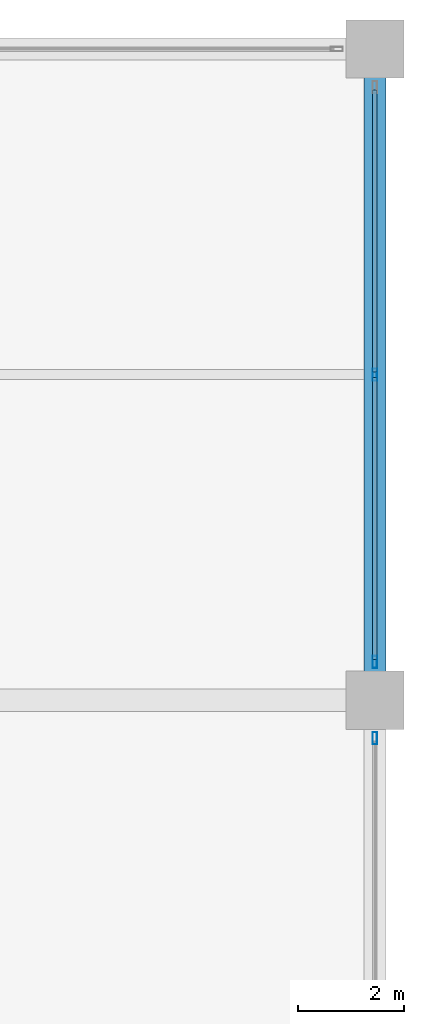
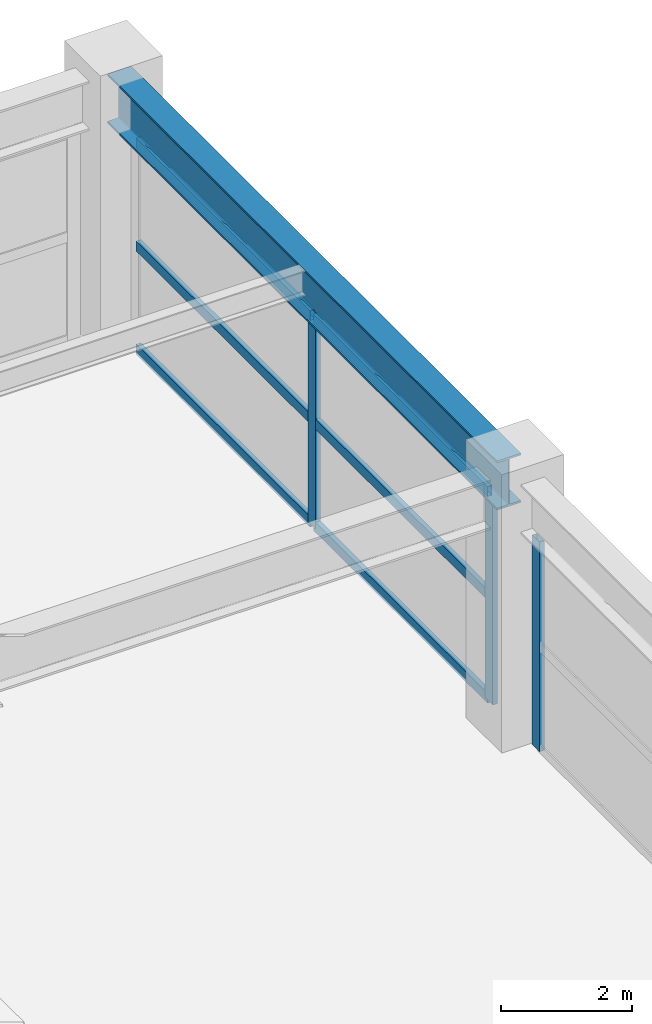
# One storey, part 26 of 35: 9 members, 1 beam, 2 elements without a shape of their own.
"""IFC4 building model written with IfcOpenShell, lengths in metres."""

from ifc_helpers import new_model, si_unit, direction, frame, origin, origin_2d, place, context, subcontext, project, spatial, hollow_rectangle, i_section, extrude, material, material_profile, profile_set, type_object, element, aggregate, save


model = new_model("IFC4")

# Units and contexts
model_context = context("Model", 3, precision=1e-05, world=origin(), true_north=direction((0.0, 1.0)))
body_context = subcontext(model_context, "Body", "Model", "MODEL_VIEW")
ifc_project = project(units=[si_unit("LENGTHUNIT", "METRE"), si_unit("AREAUNIT", "SQUARE_METRE"), si_unit("VOLUMEUNIT", "CUBIC_METRE"), si_unit("PLANEANGLEUNIT", "RADIAN"), si_unit("MASSUNIT", "GRAM", prefix="KILO")], contexts=[model_context])

# Site, building, storey
site_placement = place(None, origin())
site = spatial("IfcSite", under=ifc_project, at=site_placement, CompositionType="ELEMENT")
building_placement = place(site_placement, origin())
building = spatial("IfcBuilding", under=site, at=building_placement, Name="Kovane Verandah Tower", CompositionType="ELEMENT")
storey_placement = place(building_placement, frame((0.0, 0.0, 16.39990234375)))
storey = spatial("IfcBuildingStorey", under=building, at=storey_placement, Name="L03", CompositionType="ELEMENT", Elevation=16.39990234375)

# Beam
ifc_material_1 = material(Name="Steel S460", Category="steel")
ifc_material_profile_1 = material_profile(ifc_material_1, i_section(OverallWidth=0.42041015625, OverallDepth=0.9208984375, WebThickness=0.021484375, FlangeThickness=0.03662109375, FilletRadius=0.024169921875, at=origin_2d()), Name="UB914x419x388")
ifc_profile_set_1 = profile_set([ifc_material_profile_1], Name="Steel S460")
beam_type = type_object("IfcBeamType", Name="BM-UB914x388", PredefinedType="BEAM", material=ifc_profile_set_1)
beam_placement = place(storey_placement, frame((82.0, 44.3798828125, 4.439697265625), z_axis=(0.0, 1.0, 0.0), x_axis=(-1.0, 0.0, 0.0)))
element("IfcBeam", 1, at=beam_placement, inside=storey, type_object=beam_type, Name="L03 Podium Garden Transfer Girder Y43", PredefinedType="BEAM", context=body_context, shape_type="SweptSolid", body=[
    extrude(i_section(OverallWidth=0.42041015625, OverallDepth=0.9208984375, WebThickness=0.021484375, FlangeThickness=0.03662109375, FilletRadius=0.024169921875, at=origin_2d()), origin(), (0.0, 0.0, 1.0), 11.940185546875),
])

# Curtain wall, member
ifc_material_2 = material(Name="Champagne Anodised Aluminium Frame with Low-E Clear Laminated Glass", Category="aluminium")
curtain_wall_type = type_object("IfcCurtainWallType", Name="CW-SYS-01-POD", PredefinedType="NOTDEFINED", material=ifc_material_2)
curtain_wall_1_placement = place(storey_placement, origin())
curtain_wall_1 = element("IfcCurtainWall", 2, at=curtain_wall_1_placement, inside=storey, type_object=curtain_wall_type, Name="L03 East Podium Curtain Wall Bay 4", PredefinedType="NOTDEFINED")
ifc_material_3 = material(Name="Champagne Anodised Aluminium 6063-T6", Category="aluminium")
ifc_material_profile_2 = material_profile(ifc_material_3, hollow_rectangle(XDim=0.0849609375, YDim=0.22998046875, WallThickness=0.00390625, at=origin_2d()), Name="AL85x230x4")
ifc_profile_set_2 = profile_set([ifc_material_profile_2], Name="Champagne Anodised Aluminium 6063-T6")
member_type_1 = type_object("IfcMemberType", Name="CW-MUL-85x230", PredefinedType="MULLION", material=ifc_profile_set_2)
member_1_placement = place(storey_placement, frame((82.0, 43.47998046875, 0.02001953125), z_axis=(0.0, 0.0, 1.0), x_axis=(1.0, 0.0, 0.0)))
member_1 = element("IfcMember", 3, at=member_1_placement, type_object=member_type_1, Name="L03 East Podium Curtain Wall Bay 4 Mullion 2", PredefinedType="MULLION", context=body_context, shape_type="SweptSolid", body=[
    extrude(hollow_rectangle(XDim=0.0849609375, YDim=0.22998046875, WallThickness=0.00390625, at=origin_2d()), origin(), (0.0, 0.0, 1.0), 3.919189453125),
])
aggregate(curtain_wall_1, [member_1])

# Curtain wall, members
curtain_wall_2_placement = place(storey_placement, origin())
curtain_wall_2 = element("IfcCurtainWall", 4, at=curtain_wall_2_placement, inside=storey, type_object=curtain_wall_type, Name="L03 East Podium Curtain Wall Bay 5", PredefinedType="NOTDEFINED")
member_2_placement = place(storey_placement, frame((82.0, 44.919921875, 0.02001953125), z_axis=(0.0, 0.0, 1.0), x_axis=(1.0, 0.0, 0.0)))
member_2 = element("IfcMember", 5, at=member_2_placement, type_object=member_type_1, Name="L03 East Podium Curtain Wall Bay 5 Mullion 1", PredefinedType="MULLION", context=body_context, shape_type="SweptSolid", body=[
    extrude(hollow_rectangle(XDim=0.0849609375, YDim=0.22998046875, WallThickness=0.00390625, at=origin_2d()), origin(), (0.0, 0.0, 1.0), 3.919189453125),
])
member_3_placement = place(storey_placement, frame((82.0, 50.35009765625, 0.02001953125), z_axis=(0.0, 0.0, 1.0), x_axis=(1.0, 0.0, 0.0)))
member_3 = element("IfcMember", 6, at=member_3_placement, type_object=member_type_1, Name="L03 East Podium Curtain Wall Bay 5 Mullion 2", PredefinedType="MULLION", context=body_context, shape_type="SweptSolid", body=[
    extrude(hollow_rectangle(XDim=0.0849609375, YDim=0.22998046875, WallThickness=0.00390625, at=origin_2d()), origin(), (0.0, 0.0, 1.0), 3.919189453125),
])
ifc_material_profile_3 = material_profile(ifc_material_3, hollow_rectangle(XDim=0.0849609375, YDim=0.18994140625, WallThickness=0.00390625, at=origin_2d()), Name="AL85x190x4")
ifc_profile_set_3 = profile_set([ifc_material_profile_3], Name="Champagne Anodised Aluminium 6063-T6")
member_type_2 = type_object("IfcMemberType", Name="CW-TRN-85x190", PredefinedType="USERDEFINED", material=ifc_profile_set_3)
member_4_placement = place(storey_placement, frame((82.0, 44.969970703125, 0.050048828125), z_axis=(0.0, 1.0, 0.0), x_axis=(-1.0, 0.0, 0.0)))
member_4 = element("IfcMember", 7, at=member_4_placement, type_object=member_type_2, Name="L03 East Podium Curtain Wall Bay 5 Transom TB Bay 1", ObjectType="TRANSOM", PredefinedType="USERDEFINED", context=body_context, shape_type="SweptSolid", body=[
    extrude(hollow_rectangle(XDim=0.0849609375, YDim=0.18994140625, WallThickness=0.00390625, at=origin_2d()), origin(), (0.0, 0.0, 1.0), 5.330078125),
])
member_5_placement = place(storey_placement, frame((82.0, 44.969970703125, 1.9794921875), z_axis=(0.0, 1.0, 0.0), x_axis=(-1.0, 0.0, 0.0)))
member_5 = element("IfcMember", 8, at=member_5_placement, type_object=member_type_2, Name="L03 East Podium Curtain Wall Bay 5 Transom TM Bay 1", ObjectType="TRANSOM", PredefinedType="USERDEFINED", context=body_context, shape_type="SweptSolid", body=[
    extrude(hollow_rectangle(XDim=0.0849609375, YDim=0.18994140625, WallThickness=0.00390625, at=origin_2d()), origin(), (0.0, 0.0, 1.0), 5.330078125),
])
member_6_placement = place(storey_placement, frame((82.0, 44.969970703125, 3.9091796875), z_axis=(0.0, 1.0, 0.0), x_axis=(-1.0, 0.0, 0.0)))
member_6 = element("IfcMember", 9, at=member_6_placement, type_object=member_type_2, Name="L03 East Podium Curtain Wall Bay 5 Transom TT Bay 1", ObjectType="TRANSOM", PredefinedType="USERDEFINED", context=body_context, shape_type="SweptSolid", body=[
    extrude(hollow_rectangle(XDim=0.0849609375, YDim=0.18994140625, WallThickness=0.00390625, at=origin_2d()), origin(), (0.0, 0.0, 1.0), 5.330078125),
])
member_7_placement = place(storey_placement, frame((82.0, 50.39990234375, 0.050048828125), z_axis=(0.0, 1.0, 0.0), x_axis=(-1.0, 0.0, 0.0)))
member_7 = element("IfcMember", 10, at=member_7_placement, type_object=member_type_2, Name="L03 East Podium Curtain Wall Bay 5 Transom TB Bay 2", ObjectType="TRANSOM", PredefinedType="USERDEFINED", context=body_context, shape_type="SweptSolid", body=[
    extrude(hollow_rectangle(XDim=0.0849609375, YDim=0.18994140625, WallThickness=0.00390625, at=origin_2d()), origin(), (0.0, 0.0, 1.0), 5.330078125),
])
member_8_placement = place(storey_placement, frame((82.0, 50.39990234375, 1.9794921875), z_axis=(0.0, 1.0, 0.0), x_axis=(-1.0, 0.0, 0.0)))
member_8 = element("IfcMember", 11, at=member_8_placement, type_object=member_type_2, Name="L03 East Podium Curtain Wall Bay 5 Transom TM Bay 2", ObjectType="TRANSOM", PredefinedType="USERDEFINED", context=body_context, shape_type="SweptSolid", body=[
    extrude(hollow_rectangle(XDim=0.0849609375, YDim=0.18994140625, WallThickness=0.00390625, at=origin_2d()), origin(), (0.0, 0.0, 1.0), 5.330078125),
])
member_9_placement = place(storey_placement, frame((82.0, 50.39990234375, 3.9091796875), z_axis=(0.0, 1.0, 0.0), x_axis=(-1.0, 0.0, 0.0)))
member_9 = element("IfcMember", 12, at=member_9_placement, type_object=member_type_2, Name="L03 East Podium Curtain Wall Bay 5 Transom TT Bay 2", ObjectType="TRANSOM", PredefinedType="USERDEFINED", context=body_context, shape_type="SweptSolid", body=[
    extrude(hollow_rectangle(XDim=0.0849609375, YDim=0.18994140625, WallThickness=0.00390625, at=origin_2d()), origin(), (0.0, 0.0, 1.0), 5.330078125),
])
aggregate(curtain_wall_2, [member_2, member_3, member_4, member_5, member_6, member_7, member_8, member_9])

save(model, "model.ifc")
